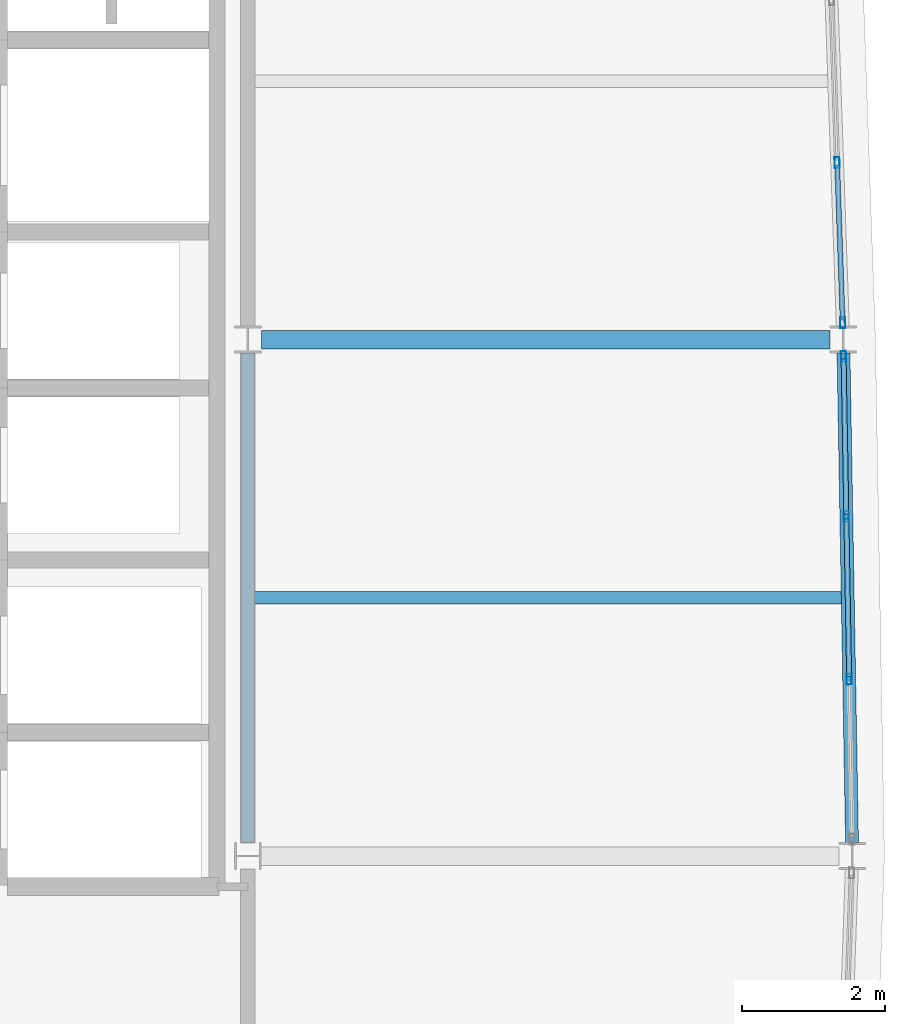
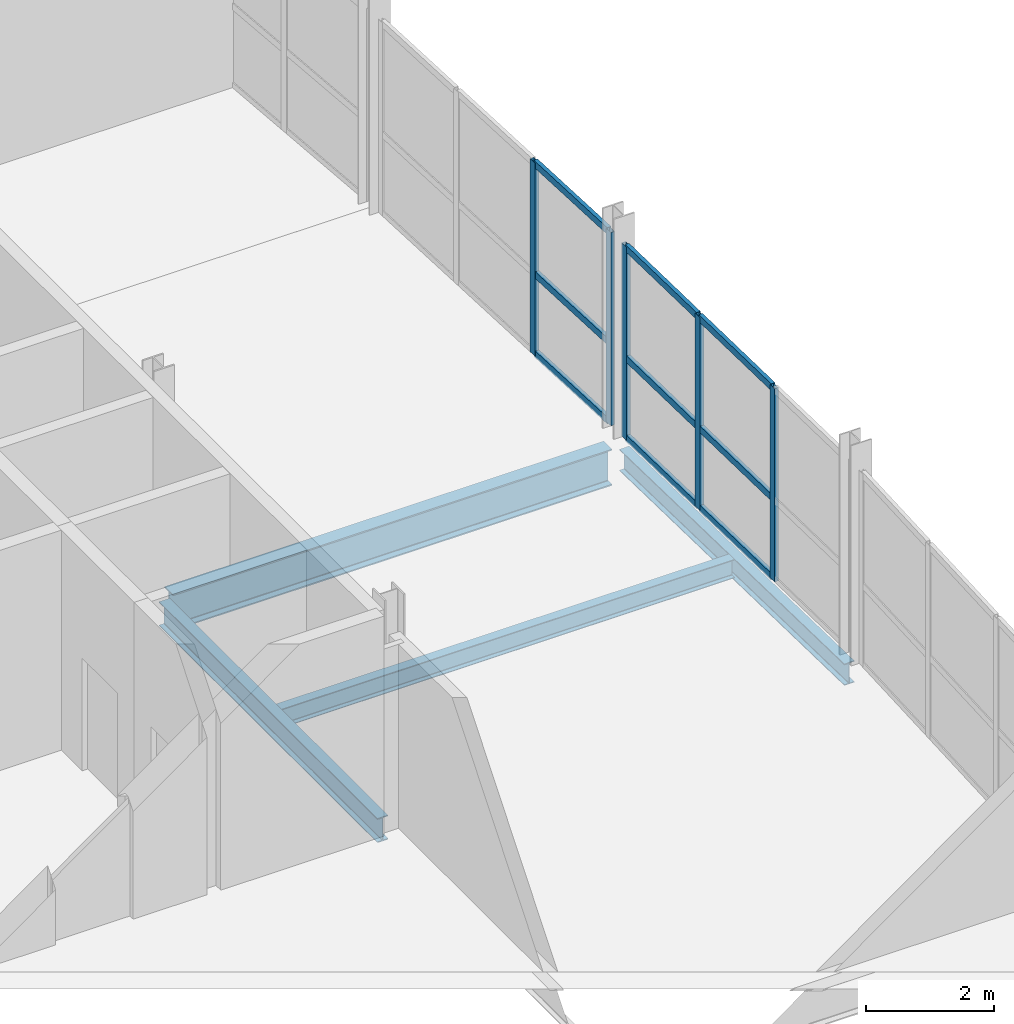
# One storey, part 6 of 20: 14 members, 4 beams, 2 elements without a shape of their own.
"""IFC4 building model written with IfcOpenShell, lengths in metres."""

from ifc_helpers import new_model, si_unit, direction, frame, origin, origin_2d, place, context, subcontext, project, spatial, hollow_rectangle, i_section, extrude, material, layer, layer_set, material_profile, profile_set, type_object, element, aggregate, save


model = new_model("IFC4")

# Units and contexts
model_context = context("Model", 3, precision=1e-05, world=origin(), true_north=direction((0.0, 1.0)))
body_context = subcontext(model_context, "Body", "Model", "MODEL_VIEW")
ifc_project = project(units=[si_unit("LENGTHUNIT", "METRE"), si_unit("AREAUNIT", "SQUARE_METRE"), si_unit("VOLUMEUNIT", "CUBIC_METRE"), si_unit("PLANEANGLEUNIT", "RADIAN"), si_unit("MASSUNIT", "GRAM", prefix="KILO")], contexts=[model_context])

# Site, building, storey
site_placement = place(None, origin())
site = spatial("IfcSite", under=ifc_project, at=site_placement, CompositionType="ELEMENT")
building_placement = place(site_placement, origin())
building = spatial("IfcBuilding", under=site, at=building_placement, Name="Quillay Park Conservatory", CompositionType="ELEMENT")
storey_placement = place(building_placement, frame((0.0, 0.0, 30.89990234375)))
storey = spatial("IfcBuildingStorey", under=building, at=storey_placement, Name="L07", CompositionType="ELEMENT", Elevation=30.89990234375)

# Beam
ifc_material_1 = material(Name="Steel ASTM A992 Grade 50", Category="steel")
ifc_material_profile_1 = material_profile(ifc_material_1, i_section(OverallWidth=0.172119140625, OverallDepth=0.35791015625, WebThickness=0.0078125, FlangeThickness=0.01318359375, FilletRadius=0.010986328125, at=origin_2d()), Name="W360x57")
ifc_profile_set_1 = profile_set([ifc_material_profile_1], Name="Steel ASTM A992 Grade 50")
beam_type_1 = type_object("IfcBeamType", Name="COMPOSITE FLOOR JOIST W360 X57", PredefinedType="JOIST", material=ifc_profile_set_1)
beam_1_placement = place(storey_placement, frame((19.845947265625, 88.800048828125, -0.39892578125), z_axis=(1.0, 0.0, 0.0), x_axis=(0.0, 1.0, 0.0)))
element("IfcBeam", 1, at=beam_1_placement, inside=storey, type_object=beam_type_1, Name="L07 beam BM-J-0563", PredefinedType="JOIST", context=body_context, shape_type="SweptSolid", body=[
    extrude(i_section(OverallWidth=0.172119140625, OverallDepth=0.35791015625, WebThickness=0.0078125, FlangeThickness=0.01318359375, FilletRadius=0.010986328125, at=origin_2d()), origin(), (0.0, 0.0, 1.0), 8.176513671875),
])

# Curtain wall, members
ifc_material_2 = material(Name="Thermally Broken Anodised Aluminium 6063-T6", Category="aluminium")
ifc_layer = layer(ifc_material_2, 0.199951171875)
ifc_layer_set = layer_set([ifc_layer], Name="UNITISED CURTAIN WALL HERBARIUM (Thermally Broken Anodised Aluminium 6063-T6)")
curtain_wall_type = type_object("IfcCurtainWallType", Name="UNITISED CURTAIN WALL HERBARIUM", PredefinedType="USERDEFINED", material=ifc_layer_set)
curtain_wall_1_placement = place(storey_placement, origin())
curtain_wall_1 = element("IfcCurtainWall", 2, at=curtain_wall_1_placement, inside=storey, type_object=curtain_wall_type, Name="L07 Unitised Curtain Wall 071", ObjectType="UNITISED CURTAIN WALL", PredefinedType="USERDEFINED")
ifc_material_3 = material(Name="Thermally Broken Anodised Aluminium 6063-T6", Category="aluminium")
ifc_material_profile_2 = material_profile(ifc_material_3, hollow_rectangle(XDim=0.070068359375, YDim=0.14990234375, WallThickness=0.00341796875, at=origin_2d()), Name="AL70x150x3.5")
ifc_profile_set_2 = profile_set([ifc_material_profile_2], Name="Thermally Broken Anodised Aluminium 6063-T6")
member_type_1 = type_object("IfcMemberType", Name="CURTAIN WALL MULLION 70 X150", PredefinedType="MULLION", material=ifc_profile_set_2)
member_1_placement = place(storey_placement, frame((28.05419921875, 92.1650390625, 0.0), z_axis=(0.0, 0.0, 1.0), x_axis=(0.999849471711, 0.017350329071, 0.0)))
member_1 = element("IfcMember", 3, at=member_1_placement, type_object=member_type_1, Name="CW-T2 mullion 1", PredefinedType="MULLION", context=body_context, shape_type="SweptSolid", body=[
    extrude(hollow_rectangle(XDim=0.070068359375, YDim=0.14990234375, WallThickness=0.00341796875, at=origin_2d()), origin(), (0.0, 0.0, 1.0), 3.68701171875),
])
member_2_placement = place(storey_placement, frame((28.0927734375, 89.933349609375, 0.0), z_axis=(0.0, 0.0, 1.0), x_axis=(0.999849471711, 0.017350329071, 0.0)))
member_2 = element("IfcMember", 4, at=member_2_placement, type_object=member_type_1, Name="CW-T2 mullion 2", PredefinedType="MULLION", context=body_context, shape_type="SweptSolid", body=[
    extrude(hollow_rectangle(XDim=0.070068359375, YDim=0.14990234375, WallThickness=0.00341796875, at=origin_2d()), origin(), (0.0, 0.0, 1.0), 3.68701171875),
])
member_3_placement = place(storey_placement, frame((28.132080078125, 87.666748046875, 0.0), z_axis=(0.0, 0.0, 1.0), x_axis=(0.999849471711, 0.017350329071, 0.0)))
member_3 = element("IfcMember", 5, at=member_3_placement, type_object=member_type_1, Name="CW-T2 mullion 3", PredefinedType="MULLION", context=body_context, shape_type="SweptSolid", body=[
    extrude(hollow_rectangle(XDim=0.070068359375, YDim=0.14990234375, WallThickness=0.00341796875, at=origin_2d()), origin(), (0.0, 0.0, 1.0), 3.68701171875),
])

curtain_wall_2_placement = place(storey_placement, origin())
curtain_wall_2 = element("IfcCurtainWall", 6, at=curtain_wall_2_placement, inside=storey, type_object=curtain_wall_type, Name="L07 Unitised Curtain Wall 072", ObjectType="UNITISED CURTAIN WALL", PredefinedType="USERDEFINED")
member_4_placement = place(storey_placement, frame((27.96435546875, 94.86669921875, 0.0), z_axis=(0.0, 0.0, 1.0), x_axis=(0.999397310446, 0.034713338537, 0.0)))
member_4 = element("IfcMember", 7, at=member_4_placement, type_object=member_type_1, Name="CW-T2 mullion 3", PredefinedType="MULLION", context=body_context, shape_type="SweptSolid", body=[
    extrude(hollow_rectangle(XDim=0.070068359375, YDim=0.14990234375, WallThickness=0.00341796875, at=origin_2d()), origin(), (0.0, 0.0, 1.0), 3.68701171875),
])
member_5_placement = place(storey_placement, frame((28.0419921875, 92.634765625, 0.0), z_axis=(0.0, 0.0, 1.0), x_axis=(0.999397310446, 0.034713338537, 0.0)))
member_5 = element("IfcMember", 8, at=member_5_placement, type_object=member_type_1, Name="CW-T2 mullion 4", PredefinedType="MULLION", context=body_context, shape_type="SweptSolid", body=[
    extrude(hollow_rectangle(XDim=0.070068359375, YDim=0.14990234375, WallThickness=0.00341796875, at=origin_2d()), origin(), (0.0, 0.0, 1.0), 3.68701171875),
])

# Member
ifc_material_4 = material(Name="Thermally Broken Anodised Aluminium 6063-T6", Category="aluminium")
ifc_material_profile_3 = material_profile(ifc_material_4, hollow_rectangle(XDim=0.070068359375, YDim=0.1298828125, WallThickness=0.003173828125, at=origin_2d()), Name="AL70x130x3.2")
ifc_profile_set_3 = profile_set([ifc_material_profile_3], Name="Thermally Broken Anodised Aluminium 6063-T6")
member_type_2 = type_object("IfcMemberType", Name="CURTAIN WALL TRANSOM 70 X130", PredefinedType="USERDEFINED", material=ifc_profile_set_3)
member_6_placement = place(storey_placement, frame((28.0546875, 92.130126953125, 0.03515625), z_axis=(0.017388674879, -0.999848805563, 0.0), x_axis=(0.999848805563, 0.017388674879, 0.0)))
member_6 = element("IfcMember", 9, at=member_6_placement, type_object=member_type_2, Name="CW-T2 transom 1.1", ObjectType="TRANSOM", PredefinedType="USERDEFINED", context=body_context, shape_type="SweptSolid", body=[
    extrude(hollow_rectangle(XDim=0.070068359375, YDim=0.1298828125, WallThickness=0.003173828125, at=origin_2d()), origin(), (0.0, 0.0, 1.0), 2.162109375),
])

member_7_placement = place(storey_placement, frame((28.0546875, 92.130126953125, 1.548583984375), z_axis=(0.017388674879, -0.999848805563, 0.0), x_axis=(0.999848805563, 0.017388674879, 0.0)))
member_7 = element("IfcMember", 10, at=member_7_placement, type_object=member_type_2, Name="CW-T2 transom 1.2", ObjectType="TRANSOM", PredefinedType="USERDEFINED", context=body_context, shape_type="SweptSolid", body=[
    extrude(hollow_rectangle(XDim=0.070068359375, YDim=0.1298828125, WallThickness=0.003173828125, at=origin_2d()), origin(), (0.0, 0.0, 1.0), 2.162109375),
])

member_8_placement = place(storey_placement, frame((28.0546875, 92.130126953125, 3.652099609375), z_axis=(0.017388674879, -0.999848805563, 0.0), x_axis=(0.999848805563, 0.017388674879, 0.0)))
member_8 = element("IfcMember", 11, at=member_8_placement, type_object=member_type_2, Name="CW-T2 transom 1.3", ObjectType="TRANSOM", PredefinedType="USERDEFINED", context=body_context, shape_type="SweptSolid", body=[
    extrude(hollow_rectangle(XDim=0.070068359375, YDim=0.1298828125, WallThickness=0.003173828125, at=origin_2d()), origin(), (0.0, 0.0, 1.0), 2.162109375),
])

member_9_placement = place(storey_placement, frame((28.093505859375, 89.8984375, 0.03515625), z_axis=(0.01733458104, -0.999849744862, 0.0), x_axis=(0.999849744862, 0.01733458104, 0.0)))
member_9 = element("IfcMember", 12, at=member_9_placement, type_object=member_type_2, Name="CW-T2 transom 2.1", ObjectType="TRANSOM", PredefinedType="USERDEFINED", context=body_context, shape_type="SweptSolid", body=[
    extrude(hollow_rectangle(XDim=0.070068359375, YDim=0.1298828125, WallThickness=0.003173828125, at=origin_2d()), origin(), (0.0, 0.0, 1.0), 2.197021484375),
])

member_10_placement = place(storey_placement, frame((28.093505859375, 89.8984375, 1.548583984375), z_axis=(0.01733458104, -0.999849744862, 0.0), x_axis=(0.999849744862, 0.01733458104, 0.0)))
member_10 = element("IfcMember", 13, at=member_10_placement, type_object=member_type_2, Name="CW-T2 transom 2.2", ObjectType="TRANSOM", PredefinedType="USERDEFINED", context=body_context, shape_type="SweptSolid", body=[
    extrude(hollow_rectangle(XDim=0.070068359375, YDim=0.1298828125, WallThickness=0.003173828125, at=origin_2d()), origin(), (0.0, 0.0, 1.0), 2.197021484375),
])

member_11_placement = place(storey_placement, frame((28.093505859375, 89.8984375, 3.652099609375), z_axis=(0.01733458104, -0.999849744862, 0.0), x_axis=(0.999849744862, 0.01733458104, 0.0)))
member_11 = element("IfcMember", 14, at=member_11_placement, type_object=member_type_2, Name="CW-T2 transom 2.3", ObjectType="TRANSOM", PredefinedType="USERDEFINED", context=body_context, shape_type="SweptSolid", body=[
    extrude(hollow_rectangle(XDim=0.070068359375, YDim=0.1298828125, WallThickness=0.003173828125, at=origin_2d()), origin(), (0.0, 0.0, 1.0), 2.197021484375),
])

aggregate(curtain_wall_1, [member_1, member_2, member_3, member_6, member_7, member_8, member_9, member_10, member_11])

member_12_placement = place(storey_placement, frame((27.965576171875, 94.83154296875, 0.03515625), z_axis=(0.034765508592, -0.999395496994, 0.0), x_axis=(0.999395496994, 0.034765508592, 0.0)))
member_12 = element("IfcMember", 15, at=member_12_placement, type_object=member_type_2, Name="CW-T2 transom 3.1", ObjectType="TRANSOM", PredefinedType="USERDEFINED", context=body_context, shape_type="SweptSolid", body=[
    extrude(hollow_rectangle(XDim=0.070068359375, YDim=0.1298828125, WallThickness=0.003173828125, at=origin_2d()), origin(), (0.0, 0.0, 1.0), 2.162841796875),
])

member_13_placement = place(storey_placement, frame((27.965576171875, 94.83154296875, 1.548583984375), z_axis=(0.034765508592, -0.999395496994, 0.0), x_axis=(0.999395496994, 0.034765508592, 0.0)))
member_13 = element("IfcMember", 16, at=member_13_placement, type_object=member_type_2, Name="CW-T2 transom 3.2", ObjectType="TRANSOM", PredefinedType="USERDEFINED", context=body_context, shape_type="SweptSolid", body=[
    extrude(hollow_rectangle(XDim=0.070068359375, YDim=0.1298828125, WallThickness=0.003173828125, at=origin_2d()), origin(), (0.0, 0.0, 1.0), 2.162841796875),
])

member_14_placement = place(storey_placement, frame((27.965576171875, 94.83154296875, 3.652099609375), z_axis=(0.034765508592, -0.999395496994, 0.0), x_axis=(0.999395496994, 0.034765508592, 0.0)))
member_14 = element("IfcMember", 17, at=member_14_placement, type_object=member_type_2, Name="CW-T2 transom 3.3", ObjectType="TRANSOM", PredefinedType="USERDEFINED", context=body_context, shape_type="SweptSolid", body=[
    extrude(hollow_rectangle(XDim=0.070068359375, YDim=0.1298828125, WallThickness=0.003173828125, at=origin_2d()), origin(), (0.0, 0.0, 1.0), 2.162841796875),
])

aggregate(curtain_wall_2, [member_4, member_5, member_12, member_13, member_14])

# Beams
ifc_material_5 = material(Name="Steel ASTM A992 Grade 50", Category="steel")
ifc_material_profile_4 = material_profile(ifc_material_5, i_section(OverallWidth=0.179931640625, OverallDepth=0.4130859375, WebThickness=0.009765625, FlangeThickness=0.01611328125, FilletRadius=0.011962890625, at=origin_2d()), Name="W410x74")
ifc_profile_set_4 = profile_set([ifc_material_profile_4], Name="Steel ASTM A992 Grade 50")
beam_type_2 = type_object("IfcBeamType", Name="PERIMETER SPANDREL BEAM W410 X74", PredefinedType="SPANDREL", material=ifc_profile_set_4)
beam_2_placement = place(storey_placement, frame((28.171875, 85.385986328125, -0.426513671875), z_axis=(-0.017374379301, 0.99984905408, 0.0), x_axis=(-0.99984905408, -0.017374379301, 0.0)))
element("IfcBeam", 18, at=beam_2_placement, inside=storey, type_object=beam_type_2, Name="L07 beam BM-SPE-0559", PredefinedType="SPANDREL", context=body_context, shape_type="SweptSolid", body=[
    extrude(i_section(OverallWidth=0.179931640625, OverallDepth=0.4130859375, WebThickness=0.009765625, FlangeThickness=0.01611328125, FilletRadius=0.011962890625, at=origin_2d()), origin(), (0.0, 0.0, 1.0), 6.8291015625),
])
ifc_material_6 = material(Name="Steel ASTM A992 Grade 50", Category="steel")
ifc_material_profile_5 = material_profile(ifc_material_6, i_section(OverallWidth=0.19189453125, OverallDepth=0.462890625, WebThickness=0.010498046875, FlangeThickness=0.017578125, FilletRadius=0.012939453125, at=origin_2d()), Name="W460x89")
ifc_profile_set_5 = profile_set([ifc_material_profile_5], Name="Steel ASTM A992 Grade 50")
beam_type_3 = type_object("IfcBeamType", Name="PRIMARY FLOOR GIRDER W460 X89", PredefinedType="BEAM", material=ifc_profile_set_5)
beam_3_placement = place(storey_placement, frame((19.75, 85.386962890625, -0.451416015625), z_axis=(0.0, 1.0, 0.0), x_axis=(-1.0, 0.0, 0.0)))
element("IfcBeam", 19, at=beam_3_placement, inside=storey, type_object=beam_type_3, Name="L07 beam BM-GNS-0561", PredefinedType="BEAM", context=body_context, shape_type="SweptSolid", body=[
    extrude(i_section(OverallWidth=0.19189453125, OverallDepth=0.462890625, WebThickness=0.010498046875, FlangeThickness=0.017578125, FilletRadius=0.012939453125, at=origin_2d()), origin(), (0.0, 0.0, 1.0), 6.8271484375),
])
ifc_material_7 = material(Name="Steel ASTM A992 Grade 50", Category="steel")
ifc_material_profile_6 = material_profile(ifc_material_7, i_section(OverallWidth=0.256103515625, OverallDepth=0.693115234375, WebThickness=0.014404296875, FlangeThickness=0.023681640625, FilletRadius=0.01611328125, at=origin_2d()), Name="W690x170")
ifc_profile_set_6 = profile_set([ifc_material_profile_6], Name="Steel ASTM A992 Grade 50")
beam_type_4 = type_object("IfcBeamType", Name="PRIMARY FLOOR GIRDER W690 X170", PredefinedType="BEAM", material=ifc_profile_set_6)
beam_4_placement = place(storey_placement, frame((19.93701171875, 92.39990234375, -0.56640625), z_axis=(1.0, 0.0, 0.0), x_axis=(0.0, 1.0, 0.0)))
element("IfcBeam", 20, at=beam_4_placement, inside=storey, type_object=beam_type_4, Name="L07 beam BM-HB-0528", PredefinedType="BEAM", context=body_context, shape_type="SweptSolid", body=[
    extrude(i_section(OverallWidth=0.256103515625, OverallDepth=0.693115234375, WebThickness=0.014404296875, FlangeThickness=0.023681640625, FilletRadius=0.01611328125, at=origin_2d()), origin(), (0.0, 0.0, 1.0), 7.926025390625),
])

save(model, "model.ifc")
